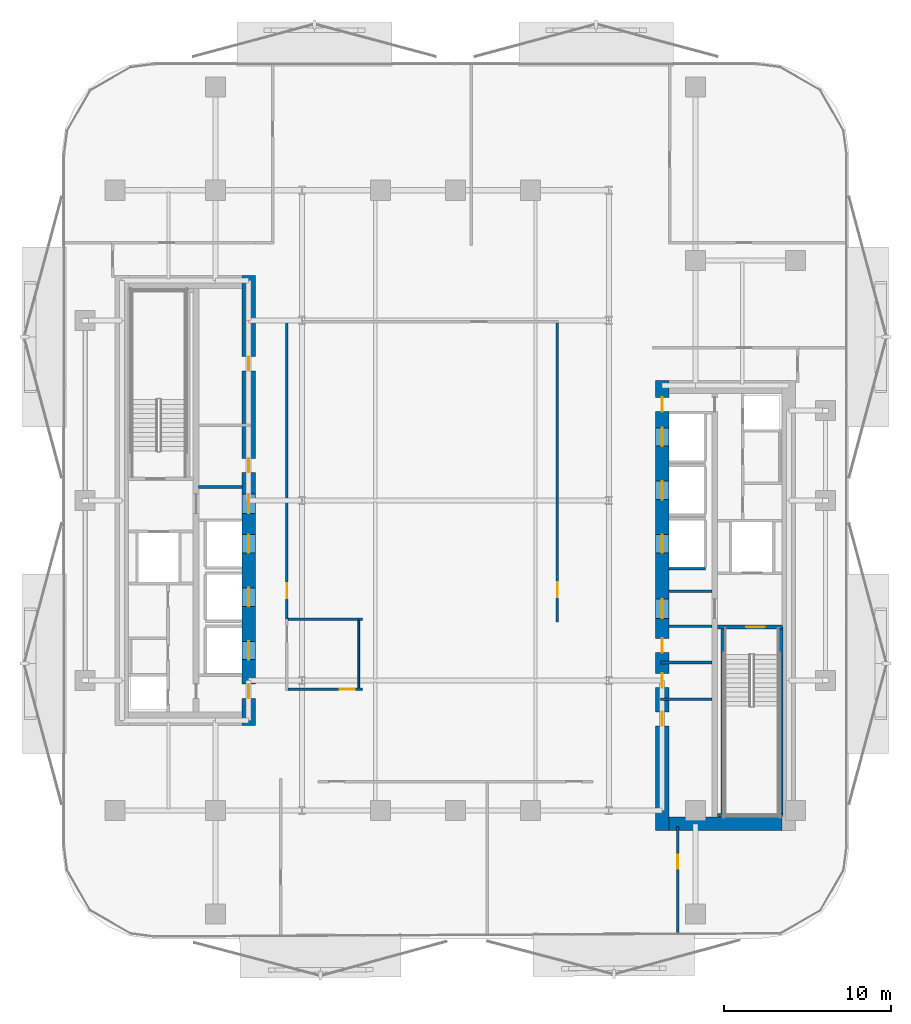
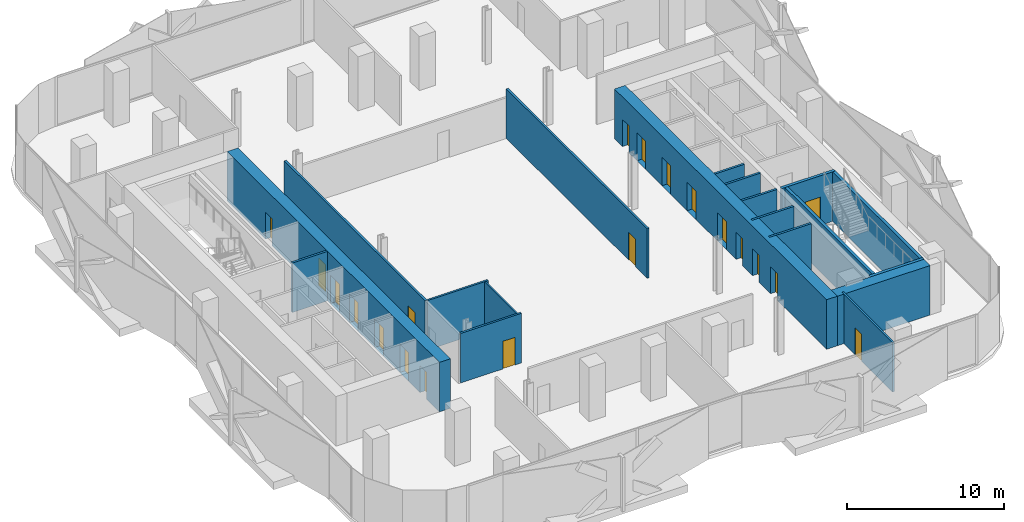
# One storey, part 4 of 15: 20 doors, 19 walls, 20 openings.
"""IFC4 building model written with IfcOpenShell, lengths in metres."""

from ifc_helpers import new_model, si_unit, direction, frame, frame_2d, origin, place, context, subcontext, project, spatial, rectangle, extrude, material, layer, layer_set, type_object, element, fill, save


model = new_model("IFC4")

# Units and contexts
model_context = context("Model", 3, precision=1e-05, world=origin(), true_north=direction((0.0, 1.0)))
body_context = subcontext(model_context, "Body", "Model", "MODEL_VIEW")
ifc_project = project(units=[si_unit("LENGTHUNIT", "METRE"), si_unit("AREAUNIT", "SQUARE_METRE"), si_unit("VOLUMEUNIT", "CUBIC_METRE"), si_unit("PLANEANGLEUNIT", "RADIAN"), si_unit("MASSUNIT", "GRAM", prefix="KILO")], contexts=[model_context])

# Site, building, storey
site_placement = place(None, origin())
site = spatial("IfcSite", under=ifc_project, at=site_placement, CompositionType="ELEMENT")
building_placement = place(site_placement, origin())
building = spatial("IfcBuilding", under=site, at=building_placement, Name="Khairoan Windgate Tower", CompositionType="ELEMENT")
storey_placement = place(building_placement, frame((0.0, 0.0, 147.800048828125)))
storey = spatial("IfcBuildingStorey", under=building, at=storey_placement, Name="L34", CompositionType="ELEMENT", Elevation=147.800048828125)

# Walls
ifc_material_1 = material(Name="Moisture-Resistant Gypsum Partition", Category="gypsum")
ifc_layer_1 = layer(ifc_material_1, 0.10009765625, Name="Moisture-Resistant Gypsum Partition")
ifc_layer_set_1 = layer_set([ifc_layer_1], Name="Moisture-Resistant Gypsum Partition")
wall_type_1 = type_object("IfcWallType", Name="Bathroom Wet-Area Partition Wall", PredefinedType="PARTITIONING", material=ifc_layer_set_1)
wall_1_placement = place(storey_placement, frame((-5.800048828125, -7.18994140625, 0.0), z_axis=(0.0, 0.0, 1.0), x_axis=(0.0, -1.0, 0.0)))
element("IfcWall", 1, at=wall_1_placement, inside=storey, type_object=wall_type_1, Name="L34 Wet Room Side Wall 038", PredefinedType="PARTITIONING", context=body_context, shape_type="SweptSolid", body=[
    extrude(rectangle(XDim=4.05517578125, YDim=0.10009765625, at=frame_2d((2.027587890625, 0.0))), origin(), (0.0, 0.0, 1.0), 3.849853515625),
])
ifc_material_2 = material(Name="Concrete C40/50", Category="concrete")
ifc_layer_2 = layer(ifc_material_2, 0.159912109375, Name="Concrete C40/50")
ifc_layer_set_2 = layer_set([ifc_layer_2], Name="Concrete C40/50")
wall_type_2 = type_object("IfcWallType", Name="Core and Hoistway Enclosure Wall", PredefinedType="STANDARD", material=ifc_layer_set_2)
wall_2_placement = place(storey_placement, frame((12.800048828125, -4.090087890625, 0.0), z_axis=(0.0, 0.0, 1.0), x_axis=(1.0, 0.0, 0.0)))
element("IfcWall", 2, at=wall_2_placement, inside=storey, type_object=wall_type_2, Name="L34 Lift PL9 Hoistway Divider S", PredefinedType="STANDARD", context=body_context, shape_type="SweptSolid", body=[
    extrude(rectangle(XDim=2.18994140625, YDim=0.159912109375, at=frame_2d((1.094970703125, 0.0))), origin(), (0.0, 0.0, 1.0), 3.849853515625),
])
for number, where, z_axis, x_axis, name in (
    (3, (-15.39990234375, 0.800048828125, 0.0), (0.0, 0.0, 1.0), (1.0, 0.0, 0.0), "L34 Core Shaft Wall SW-WV1-L34"),
    (4, (12.800048828125, -5.449951171875, 0.0), (0.0, 0.0, 1.0), (1.0, 0.0, 0.0), "L34 Core Shaft Wall SW-EV1-L34"),
    (5, (12.800048828125, -7.5400390625, 0.0), (0.0, 0.0, 1.0), (1.0, 0.0, 0.0), "L34 Core Shaft Wall SW-EV2-L34"),
):
    element("IfcWall", number, at=place(storey_placement, frame(where, z_axis=z_axis, x_axis=x_axis)), inside=storey, type_object=wall_type_2, Name=name, PredefinedType="STANDARD", context=body_context, shape_type="SweptSolid", body=[
        extrude(rectangle(XDim=2.599853515625, YDim=0.159912109375, at=frame_2d((1.2998046875, 0.0))), origin(), (0.0, 0.0, 1.0), 3.849853515625),
    ])

# Wall, opening, door
ifc_material_3 = material(Name="Acoustic Fire-Rated Gypsum Partition", Category="gypsum")
ifc_layer_3 = layer(ifc_material_3, 0.139892578125, Name="Acoustic Fire-Rated Gypsum Partition")
ifc_layer_set_3 = layer_set([ifc_layer_3], Name="Acoustic Fire-Rated Gypsum Partition")
wall_type_3 = type_object("IfcWallType", Name="Inter-Tenancy Compartment Wall", PredefinedType="PARTITIONING", material=ifc_layer_set_3)
wall_3_placement = place(storey_placement, frame((13.327880859375, -26.001220703125, 0.0), z_axis=(0.0, 0.0, 1.0), x_axis=(0.0, 1.0, 0.0)))
wall_3 = element("IfcWall", 6, at=wall_3_placement, inside=storey, type_object=wall_type_3, Name="L34 Interior Partition 034", PredefinedType="PARTITIONING", context=body_context, shape_type="SweptSolid", body=[
    extrude(rectangle(XDim=6.441162109375, YDim=0.139892578125, at=frame_2d((3.220703125, 0.0))), origin(), (0.0, 0.0, 1.0), 3.849853515625),
])
opening_1_placement = place(wall_3_placement, frame((3.91259765625, 0.0, 0.0)))
opening_1 = element("IfcOpeningElement", 7, at=opening_1_placement, cuts=wall_3, Name="Opening FD-SRV", PredefinedType="OPENING", context=body_context, shape_type="SweptSolid", body=[
    extrude(rectangle(XDim=0.85009765625, YDim=2.10009765625, at=frame_2d((0.425048828125, 1.050048828125))), frame((0.0, 0.079833984375, 0.0), z_axis=(0.0, -1.0, 0.0), x_axis=(1.0, 0.0, 0.0)), (0.0, 0.0, 1.0), 0.159912109375),
])
ifc_material_4 = material(Name="Steel S355", Category="steel")
door_type_1 = type_object("IfcDoorType", Name="Core Service and Riser Fire Door FD-SRV 850x2100", OperationType="NOTDEFINED", PredefinedType="DOOR", material=ifc_material_4)
door_1_placement = place(opening_1_placement, origin())
door_1 = element("IfcDoor", 8, at=door_1_placement, inside=storey, type_object=door_type_1, Name="L34 L34-48-L34-49 Door", OperationType="SINGLE_SWING_RIGHT", OverallHeight=2.10009765625, OverallWidth=0.85009765625, PredefinedType="DOOR", context=body_context, shape_type="SweptSolid", body=[
    extrude(rectangle(XDim=0.85009765625, YDim=2.10009765625, at=frame_2d((0.425048828125, 1.050048828125))), frame((0.0, 0.02490234375, 0.0), z_axis=(0.0, -1.0, 0.0), x_axis=(1.0, 0.0, 0.0)), (0.0, 0.0, 1.0), 0.050048828125),
])
fill(opening_1, door_1)

# Walls
wall_4_placement = place(storey_placement, frame((-10.02490234375, -7.1201171875, 0.0), z_axis=(0.0, 0.0, 1.0), x_axis=(1.0, 0.0, 0.0)))
element("IfcWall", 9, at=wall_4_placement, inside=storey, type_object=wall_type_3, Name="L34 Interior Partition 035", PredefinedType="PARTITIONING", context=body_context, shape_type="SweptSolid", body=[
    extrude(rectangle(XDim=4.46484375, YDim=0.139892578125, at=frame_2d((2.232421875, 0.0))), origin(), (0.0, 0.0, 1.0), 3.849853515625),
])
ifc_material_5 = material(Name="Concrete C40/50", Category="concrete")
ifc_layer_4 = layer(ifc_material_5, 0.159912109375, Name="Concrete C40/50")
ifc_layer_set_4 = layer_set([ifc_layer_4], Name="Concrete C40/50")
wall_type_4 = type_object("IfcWallType", Name="Plant and Refuge Compartment Wall", PredefinedType="PARTITIONING", material=ifc_layer_set_4)
for number, where, z_axis, x_axis, name in (
    (10, (12.31005859375, -11.919921875, 0.0), (0.0, 0.0, 1.0), (1.0, 0.0, 0.0), "L34 Interior Partition 012"),
    (11, (12.31005859375, -9.719970703125, 0.0), (0.0, 0.0, 1.0), (1.0, 0.0, 0.0), "L34 Interior Partition 013"),
):
    element("IfcWall", number, at=place(storey_placement, frame(where, z_axis=z_axis, x_axis=x_axis)), inside=storey, type_object=wall_type_4, Name=name, PredefinedType="PARTITIONING", context=body_context, shape_type="SweptSolid", body=[
        extrude(rectangle(XDim=3.06494140625, YDim=0.159912109375, at=frame_2d((1.532470703125, 0.0))), origin(), (0.0, 0.0, 1.0), 3.849853515625),
    ])

# Wall, opening, door
ifc_material_6 = material(Name="Acoustic Fire-Rated Gypsum Partition", Category="gypsum")
ifc_layer_5 = layer(ifc_material_6, 0.14990234375, Name="Acoustic Fire-Rated Gypsum Partition")
ifc_layer_set_5 = layer_set([ifc_layer_5], Name="Acoustic Fire-Rated Gypsum Partition")
wall_type_5 = type_object("IfcWallType", Name="Rated Corridor Partition Wall", PredefinedType="PARTITIONING", material=ifc_layer_set_5)
wall_5_placement = place(storey_placement, frame((-10.10009765625, -7.1201171875, 0.0), z_axis=(0.0, 0.0, 1.0), x_axis=(0.0, 1.0, 0.0)))
wall_5 = element("IfcWall", 12, at=wall_5_placement, inside=storey, type_object=wall_type_5, Name="L34 Interior Partition 016", PredefinedType="PARTITIONING", context=body_context, shape_type="SweptSolid", body=[
    extrude(rectangle(XDim=17.9150390625, YDim=0.14990234375, at=frame_2d((8.95751953125, 0.0))), origin(), (0.0, 0.0, 1.0), 3.849853515625),
])
opening_2_placement = place(wall_5_placement, frame((1.264892578125, 0.0, 0.0)))
opening_2 = element("IfcOpeningElement", 13, at=opening_2_placement, cuts=wall_5, Name="Opening FD-ENT", PredefinedType="OPENING", context=body_context, shape_type="SweptSolid", body=[
    extrude(rectangle(XDim=0.89990234375, YDim=2.14990234375, at=frame_2d((0.449951171875, 1.074951171875))), frame((0.0, 0.0849609375, 0.0), z_axis=(0.0, -1.0, 0.0), x_axis=(1.0, 0.0, 0.0)), (0.0, 0.0, 1.0), 0.169921875),
])
ifc_material_7 = material(Name="Timber Fire-Rated Core", Category="wood")
door_type_2 = type_object("IfcDoorType", Name="Unit and Office Fire Entrance Door FD-ENT 900x2150", OperationType="NOTDEFINED", PredefinedType="DOOR", material=ifc_material_7)
door_2_placement = place(opening_2_placement, origin())
door_2 = element("IfcDoor", 14, at=door_2_placement, inside=storey, type_object=door_type_2, Name="L34 L34-30-L34-51 Door", OperationType="SINGLE_SWING_RIGHT", OverallHeight=2.14990234375, OverallWidth=0.89990234375, PredefinedType="DOOR", context=body_context, shape_type="SweptSolid", body=[
    extrude(rectangle(XDim=0.89990234375, YDim=2.14990234375, at=frame_2d((0.449951171875, 1.074951171875))), frame((0.0, 0.02490234375, 0.0), z_axis=(0.0, -1.0, 0.0), x_axis=(1.0, 0.0, 0.0)), (0.0, 0.0, 1.0), 0.050048828125),
])
fill(opening_2, door_2)

wall_6_placement = place(storey_placement, frame((-10.02490234375, -11.320068359375, 0.0), z_axis=(0.0, 0.0, 1.0), x_axis=(1.0, 0.0, 0.0)))
wall_6 = element("IfcWall", 15, at=wall_6_placement, inside=storey, type_object=wall_type_5, Name="L34 Interior Partition 018", PredefinedType="PARTITIONING", context=body_context, shape_type="SweptSolid", body=[
    extrude(rectangle(XDim=4.46484375, YDim=0.14990234375, at=frame_2d((2.232421875, 0.0))), origin(), (0.0, 0.0, 1.0), 3.849853515625),
])
opening_3_placement = place(wall_6_placement, frame((3.10498046875, 0.0, 0.0)))
opening_3 = element("IfcOpeningElement", 16, at=opening_3_placement, cuts=wall_6, Name="Opening FD-ENT", PredefinedType="OPENING", context=body_context, shape_type="SweptSolid", body=[
    extrude(rectangle(XDim=0.89990234375, YDim=2.14990234375, at=frame_2d((0.449951171875, 1.074951171875))), frame((0.0, 0.0849609375, 0.0), z_axis=(0.0, -1.0, 0.0), x_axis=(1.0, 0.0, 0.0)), (0.0, 0.0, 1.0), 0.169921875),
])
door_3_placement = place(opening_3_placement, origin())
door_3 = element("IfcDoor", 17, at=door_3_placement, inside=storey, type_object=door_type_2, Name="L34 L34-33-L34-50 Door", OperationType="SINGLE_SWING_RIGHT", OverallHeight=2.14990234375, OverallWidth=0.89990234375, PredefinedType="DOOR", context=body_context, shape_type="SweptSolid", body=[
    extrude(rectangle(XDim=0.89990234375, YDim=2.14990234375, at=frame_2d((0.449951171875, 1.074951171875))), frame((0.0, 0.02490234375, 0.0), z_axis=(0.0, -1.0, 0.0), x_axis=(1.0, 0.0, 0.0)), (0.0, 0.0, 1.0), 0.050048828125),
])
fill(opening_3, door_3)

wall_7_placement = place(storey_placement, frame((6.1201171875, -7.280029296875, 0.0), z_axis=(0.0, 0.0, 1.0), x_axis=(0.0, 1.0, 0.0)))
wall_7 = element("IfcWall", 18, at=wall_7_placement, inside=storey, type_object=wall_type_5, Name="L34 Interior Partition 019", PredefinedType="PARTITIONING", context=body_context, shape_type="SweptSolid", body=[
    extrude(rectangle(XDim=17.925048828125, YDim=0.14990234375, at=frame_2d((8.96240234375, 0.0))), origin(), (0.0, 0.0, 1.0), 3.849853515625),
])
opening_4_placement = place(wall_7_placement, frame((1.466552734375, 0.0, 0.0)))
opening_4 = element("IfcOpeningElement", 19, at=opening_4_placement, cuts=wall_7, Name="Opening FD-ENT", PredefinedType="OPENING", context=body_context, shape_type="SweptSolid", body=[
    extrude(rectangle(XDim=0.89990234375, YDim=2.14990234375, at=frame_2d((0.449951171875, 1.074951171875))), frame((0.0, 0.0849609375, 0.0), z_axis=(0.0, -1.0, 0.0), x_axis=(1.0, 0.0, 0.0)), (0.0, 0.0, 1.0), 0.169921875),
])
door_4_placement = place(opening_4_placement, origin())
door_4 = element("IfcDoor", 20, at=door_4_placement, inside=storey, type_object=door_type_2, Name="L34 L34-34-L34-51 Door", OperationType="SINGLE_SWING_LEFT", OverallHeight=2.14990234375, OverallWidth=0.89990234375, PredefinedType="DOOR", context=body_context, shape_type="SweptSolid", body=[
    extrude(rectangle(XDim=0.89990234375, YDim=2.14990234375, at=frame_2d((0.449951171875, 1.074951171875))), frame((0.0, 0.02490234375, 0.0), z_axis=(0.0, -1.0, 0.0), x_axis=(1.0, 0.0, 0.0)), (0.0, 0.0, 1.0), 0.050048828125),
])
fill(opening_4, door_4)

# Wall, openings, doors
ifc_material_8 = material(Name="Concrete C70/85", Category="concrete")
ifc_layer_6 = layer(ifc_material_8, 0.800048828125, Name="Concrete C70/85")
ifc_layer_set_6 = layer_set([ifc_layer_6], Name="Concrete C70/85")
wall_type_6 = type_object("IfcWallType", Name="Shear Wall CW-E1 800mm", PredefinedType="SHEAR", material=ifc_layer_set_6)
wall_8_placement = place(storey_placement, frame((12.39990234375, -19.800048828125, 0.0), z_axis=(0.0, 0.0, 1.0), x_axis=(0.0, 1.0, 0.0)))
wall_8 = element("IfcWall", 21, at=wall_8_placement, inside=storey, type_object=wall_type_6, Name="E Core West Shear Wall L34", PredefinedType="SHEAR", context=body_context, shape_type="SweptSolid", body=[
    extrude(rectangle(XDim=27.0, YDim=0.800048828125, at=frame_2d((13.5, 0.0))), origin(), (0.0, 0.0, 1.0), 3.849853515625),
])
opening_5_placement = place(wall_8_placement, frame((23.050048828125, 0.0, 0.0)))
opening_5 = element("IfcOpeningElement", 22, at=opening_5_placement, cuts=wall_8, Name="Opening LD-PL", PredefinedType="OPENING", context=body_context, shape_type="SweptSolid", body=[
    extrude(rectangle(XDim=1.10009765625, YDim=2.199951171875, at=frame_2d((0.550048828125, 1.10009765625))), frame((0.0, 0.409912109375, 0.0), z_axis=(0.0, -1.0, 0.0), x_axis=(1.0, 0.0, 0.0)), (0.0, 0.0, 1.0), 0.820068359375),
])
opening_6_placement = place(wall_8_placement, frame((19.85009765625, 0.0, 0.0)))
opening_6 = element("IfcOpeningElement", 23, at=opening_6_placement, cuts=wall_8, Name="Opening LD-PL", PredefinedType="OPENING", context=body_context, shape_type="SweptSolid", body=[
    extrude(rectangle(XDim=1.10009765625, YDim=2.199951171875, at=frame_2d((0.550048828125, 1.10009765625))), frame((0.0, 0.409912109375, 0.0), z_axis=(0.0, -1.0, 0.0), x_axis=(1.0, 0.0, 0.0)), (0.0, 0.0, 1.0), 0.820068359375),
])
opening_7_placement = place(wall_8_placement, frame((16.64990234375, 0.0, 0.0)))
opening_7 = element("IfcOpeningElement", 24, at=opening_7_placement, cuts=wall_8, Name="Opening LD-PL", PredefinedType="OPENING", context=body_context, shape_type="SweptSolid", body=[
    extrude(rectangle(XDim=1.10009765625, YDim=2.199951171875, at=frame_2d((0.550048828125, 1.10009765625))), frame((0.0, 0.409912109375, 0.0), z_axis=(0.0, -1.0, 0.0), x_axis=(1.0, 0.0, 0.0)), (0.0, 0.0, 1.0), 0.820068359375),
])
opening_8_placement = place(wall_8_placement, frame((6.27490234375, 0.0, 0.0)))
opening_8 = element("IfcOpeningElement", 25, at=opening_8_placement, cuts=wall_8, Name="Opening FD-SRV", PredefinedType="OPENING", context=body_context, shape_type="SweptSolid", body=[
    extrude(rectangle(XDim=0.85009765625, YDim=2.10009765625, at=frame_2d((0.425048828125, 1.050048828125))), frame((0.0, 0.409912109375, 0.0), z_axis=(0.0, -1.0, 0.0), x_axis=(1.0, 0.0, 0.0)), (0.0, 0.0, 1.0), 0.820068359375),
])
opening_9_placement = place(wall_8_placement, frame((8.574951171875, 0.0, 0.0)))
opening_9 = element("IfcOpeningElement", 26, at=opening_9_placement, cuts=wall_8, Name="Opening FD-SRV", PredefinedType="OPENING", context=body_context, shape_type="SweptSolid", body=[
    extrude(rectangle(XDim=0.85009765625, YDim=2.10009765625, at=frame_2d((0.425048828125, 1.050048828125))), frame((0.0, 0.409912109375, 0.0), z_axis=(0.0, -1.0, 0.0), x_axis=(1.0, 0.0, 0.0)), (0.0, 0.0, 1.0), 0.820068359375),
])
opening_10_placement = place(wall_8_placement, frame((10.675048828125, 0.0, 0.0)))
opening_10 = element("IfcOpeningElement", 27, at=opening_10_placement, cuts=wall_8, Name="Opening FD-SRV", PredefinedType="OPENING", context=body_context, shape_type="SweptSolid", body=[
    extrude(rectangle(XDim=0.85009765625, YDim=2.10009765625, at=frame_2d((0.425048828125, 1.050048828125))), frame((0.0, 0.409912109375, 0.0), z_axis=(0.0, -1.0, 0.0), x_axis=(1.0, 0.0, 0.0)), (0.0, 0.0, 1.0), 0.820068359375),
])
opening_11_placement = place(wall_8_placement, frame((12.72509765625, 0.0, 0.0)))
opening_11 = element("IfcOpeningElement", 28, at=opening_11_placement, cuts=wall_8, Name="Opening FD-FFL", PredefinedType="OPENING", context=body_context, shape_type="SweptSolid", body=[
    extrude(rectangle(XDim=1.14990234375, YDim=2.199951171875, at=frame_2d((0.574951171875, 1.10009765625))), frame((0.0, 0.409912109375, 0.0), z_axis=(0.0, -1.0, 0.0), x_axis=(1.0, 0.0, 0.0)), (0.0, 0.0, 1.0), 0.820068359375),
])
opening_12_placement = place(wall_8_placement, frame((25.125, 0.0, 0.0)))
opening_12 = element("IfcOpeningElement", 29, at=opening_12_placement, cuts=wall_8, Name="Opening FD-SRV", PredefinedType="OPENING", context=body_context, shape_type="SweptSolid", body=[
    extrude(rectangle(XDim=0.85009765625, YDim=2.10009765625, at=frame_2d((0.425048828125, 1.050048828125))), frame((0.0, 0.409912109375, 0.0), z_axis=(0.0, -1.0, 0.0), x_axis=(1.0, 0.0, 0.0)), (0.0, 0.0, 1.0), 0.820068359375),
])
door_5_placement = place(opening_8_placement, origin())
door_5 = element("IfcDoor", 30, at=door_5_placement, inside=storey, type_object=door_type_1, Name="L34 East Core Service Room Door 1", OperationType="SINGLE_SWING_LEFT", OverallHeight=2.10009765625, OverallWidth=0.85009765625, PredefinedType="DOOR", context=body_context, shape_type="SweptSolid", body=[
    extrude(rectangle(XDim=0.85009765625, YDim=2.10009765625, at=frame_2d((0.425048828125, 1.050048828125))), frame((0.0, 0.02490234375, 0.0), z_axis=(0.0, -1.0, 0.0), x_axis=(1.0, 0.0, 0.0)), (0.0, 0.0, 1.0), 0.050048828125),
])
fill(opening_8, door_5)
door_6_placement = place(opening_9_placement, origin())
door_6 = element("IfcDoor", 31, at=door_6_placement, inside=storey, type_object=door_type_1, Name="L34 East Core Service Room Door 2", OperationType="SINGLE_SWING_RIGHT", OverallHeight=2.10009765625, OverallWidth=0.85009765625, PredefinedType="DOOR", context=body_context, shape_type="SweptSolid", body=[
    extrude(rectangle(XDim=0.85009765625, YDim=2.10009765625, at=frame_2d((0.425048828125, 1.050048828125))), frame((0.0, 0.02490234375, 0.0), z_axis=(0.0, -1.0, 0.0), x_axis=(1.0, 0.0, 0.0)), (0.0, 0.0, 1.0), 0.050048828125),
])
fill(opening_9, door_6)
door_7_placement = place(opening_10_placement, origin())
door_7 = element("IfcDoor", 32, at=door_7_placement, inside=storey, type_object=door_type_1, Name="L34 East Core Service Room Door 3", OperationType="SINGLE_SWING_LEFT", OverallHeight=2.10009765625, OverallWidth=0.85009765625, PredefinedType="DOOR", context=body_context, shape_type="SweptSolid", body=[
    extrude(rectangle(XDim=0.85009765625, YDim=2.10009765625, at=frame_2d((0.425048828125, 1.050048828125))), frame((0.0, 0.02490234375, 0.0), z_axis=(0.0, -1.0, 0.0), x_axis=(1.0, 0.0, 0.0)), (0.0, 0.0, 1.0), 0.050048828125),
])
fill(opening_10, door_7)
door_8_placement = place(opening_12_placement, origin())
door_8 = element("IfcDoor", 33, at=door_8_placement, inside=storey, type_object=door_type_1, Name="L34 East Core Service Vestibule Outer Door", OperationType="SINGLE_SWING_RIGHT", OverallHeight=2.10009765625, OverallWidth=0.85009765625, PredefinedType="DOOR", context=body_context, shape_type="SweptSolid", body=[
    extrude(rectangle(XDim=0.85009765625, YDim=2.10009765625, at=frame_2d((0.425048828125, 1.050048828125))), frame((0.0, 0.02490234375, 0.0), z_axis=(0.0, -1.0, 0.0), x_axis=(1.0, 0.0, 0.0)), (0.0, 0.0, 1.0), 0.050048828125),
])
fill(opening_12, door_8)
ifc_material_9 = material(Name="Steel S355", Category="steel")
door_type_3 = type_object("IfcDoorType", Name="Firefighting Lobby Fire Door FD-FFL 1150x2200", OperationType="NOTDEFINED", PredefinedType="DOOR", material=ifc_material_9)
door_9_placement = place(opening_11_placement, origin())
door_9 = element("IfcDoor", 34, at=door_9_placement, inside=storey, type_object=door_type_3, Name="L34 East Core Vestibule Entry Door", OperationType="SINGLE_SWING_RIGHT", OverallHeight=2.199951171875, OverallWidth=1.14990234375, PredefinedType="DOOR", context=body_context, shape_type="SweptSolid", body=[
    extrude(rectangle(XDim=1.14990234375, YDim=2.199951171875, at=frame_2d((0.574951171875, 1.10009765625))), frame((0.0, 0.02490234375, 0.0), z_axis=(0.0, -1.0, 0.0), x_axis=(1.0, 0.0, 0.0)), (0.0, 0.0, 1.0), 0.050048828125),
])
fill(opening_11, door_9)
ifc_material_10 = material(Name="Anodised Bronze Aluminium 6063-T6", Category="aluminium")
door_type_4 = type_object("IfcDoorType", Name="Passenger Lift Sliding Landing Door LD-PL 1100x2200", OperationType="DOUBLE_DOOR_SLIDING", PredefinedType="DOOR", material=ifc_material_10)
door_10_placement = place(opening_5_placement, origin())
door_10 = element("IfcDoor", 35, at=door_10_placement, inside=storey, type_object=door_type_4, Name="L34 Lift PL7 Sliding Landing Door", OperationType="DOUBLE_DOOR_SLIDING", OverallHeight=2.199951171875, OverallWidth=1.10009765625, PredefinedType="DOOR", context=body_context, shape_type="SweptSolid", body=[
    extrude(rectangle(XDim=1.10009765625, YDim=2.199951171875, at=frame_2d((0.550048828125, 1.10009765625))), frame((0.0, 0.02490234375, 0.0), z_axis=(0.0, -1.0, 0.0), x_axis=(1.0, 0.0, 0.0)), (0.0, 0.0, 1.0), 0.050048828125),
])
fill(opening_5, door_10)
door_11_placement = place(opening_6_placement, origin())
door_11 = element("IfcDoor", 36, at=door_11_placement, inside=storey, type_object=door_type_4, Name="L34 Lift PL8 Sliding Landing Door", OperationType="DOUBLE_DOOR_SLIDING", OverallHeight=2.199951171875, OverallWidth=1.10009765625, PredefinedType="DOOR", context=body_context, shape_type="SweptSolid", body=[
    extrude(rectangle(XDim=1.10009765625, YDim=2.199951171875, at=frame_2d((0.550048828125, 1.10009765625))), frame((0.0, 0.02490234375, 0.0), z_axis=(0.0, -1.0, 0.0), x_axis=(1.0, 0.0, 0.0)), (0.0, 0.0, 1.0), 0.050048828125),
])
fill(opening_6, door_11)
door_12_placement = place(opening_7_placement, origin())
door_12 = element("IfcDoor", 37, at=door_12_placement, inside=storey, type_object=door_type_4, Name="L34 Lift PL9 Sliding Landing Door", OperationType="DOUBLE_DOOR_SLIDING", OverallHeight=2.199951171875, OverallWidth=1.10009765625, PredefinedType="DOOR", context=body_context, shape_type="SweptSolid", body=[
    extrude(rectangle(XDim=1.10009765625, YDim=2.199951171875, at=frame_2d((0.550048828125, 1.10009765625))), frame((0.0, 0.02490234375, 0.0), z_axis=(0.0, -1.0, 0.0), x_axis=(1.0, 0.0, 0.0)), (0.0, 0.0, 1.0), 0.050048828125),
])
fill(opening_7, door_12)

# Wall
wall_9_placement = place(storey_placement, frame((12.800048828125, -19.39990234375, 0.0), z_axis=(0.0, 0.0, 1.0), x_axis=(1.0, 0.0, 0.0)))
element("IfcWall", 38, at=wall_9_placement, inside=storey, type_object=wall_type_6, Name="E Core South Shear Wall L34", PredefinedType="SHEAR", context=body_context, shape_type="SweptSolid", body=[
    extrude(rectangle(XDim=6.800048828125, YDim=0.800048828125, at=frame_2d((3.39990234375, 0.0))), origin(), (0.0, 0.0, 1.0), 3.849853515625),
])

# Wall, openings, doors
ifc_material_11 = material(Name="Concrete C70/85", Category="concrete")
ifc_layer_7 = layer(ifc_material_11, 0.800048828125, Name="Concrete C70/85")
ifc_layer_set_7 = layer_set([ifc_layer_7], Name="Concrete C70/85")
wall_type_7 = type_object("IfcWallType", Name="Shear Wall CW-W1 800mm", PredefinedType="SHEAR", material=ifc_layer_set_7)
wall_10_placement = place(storey_placement, frame((-12.39990234375, -13.5, 0.0), z_axis=(0.0, 0.0, 1.0), x_axis=(0.0, 1.0, 0.0)))
wall_10 = element("IfcWall", 39, at=wall_10_placement, inside=storey, type_object=wall_type_7, Name="W Core East Shear Wall L34", PredefinedType="SHEAR", context=body_context, shape_type="SweptSolid", body=[
    extrude(rectangle(XDim=27.0, YDim=0.800048828125, at=frame_2d((13.5, 0.0))), origin(), (0.0, 0.0, 1.0), 3.849853515625),
])
opening_13_placement = place(wall_10_placement, frame((10.35009765625, 0.0, 0.0)))
opening_13 = element("IfcOpeningElement", 40, at=opening_13_placement, cuts=wall_10, Name="Opening LD-PL", PredefinedType="OPENING", context=body_context, shape_type="SweptSolid", body=[
    extrude(rectangle(XDim=1.10009765625, YDim=2.199951171875, at=frame_2d((0.550048828125, 1.10009765625))), frame((0.0, 0.409912109375, 0.0), z_axis=(0.0, -1.0, 0.0), x_axis=(1.0, 0.0, 0.0)), (0.0, 0.0, 1.0), 0.820068359375),
])
opening_14_placement = place(wall_10_placement, frame((7.14990234375, 0.0, 0.0)))
opening_14 = element("IfcOpeningElement", 41, at=opening_14_placement, cuts=wall_10, Name="Opening LD-PL", PredefinedType="OPENING", context=body_context, shape_type="SweptSolid", body=[
    extrude(rectangle(XDim=1.10009765625, YDim=2.199951171875, at=frame_2d((0.550048828125, 1.10009765625))), frame((0.0, 0.409912109375, 0.0), z_axis=(0.0, -1.0, 0.0), x_axis=(1.0, 0.0, 0.0)), (0.0, 0.0, 1.0), 0.820068359375),
])
opening_15_placement = place(wall_10_placement, frame((3.949951171875, 0.0, 0.0)))
opening_15 = element("IfcOpeningElement", 42, at=opening_15_placement, cuts=wall_10, Name="Opening LD-PL", PredefinedType="OPENING", context=body_context, shape_type="SweptSolid", body=[
    extrude(rectangle(XDim=1.10009765625, YDim=2.199951171875, at=frame_2d((0.550048828125, 1.10009765625))), frame((0.0, 0.409912109375, 0.0), z_axis=(0.0, -1.0, 0.0), x_axis=(1.0, 0.0, 0.0)), (0.0, 0.0, 1.0), 0.820068359375),
])
opening_16_placement = place(wall_10_placement, frame((15.175048828125, 0.0, 0.0)))
opening_16 = element("IfcOpeningElement", 43, at=opening_16_placement, cuts=wall_10, Name="Opening FD-SRV", PredefinedType="OPENING", context=body_context, shape_type="SweptSolid", body=[
    extrude(rectangle(XDim=0.85009765625, YDim=2.10009765625, at=frame_2d((0.425048828125, 1.050048828125))), frame((0.0, 0.409912109375, 0.0), z_axis=(0.0, -1.0, 0.0), x_axis=(1.0, 0.0, 0.0)), (0.0, 0.0, 1.0), 0.820068359375),
])
opening_17_placement = place(wall_10_placement, frame((21.27490234375, 0.0, 0.0)))
opening_17 = element("IfcOpeningElement", 44, at=opening_17_placement, cuts=wall_10, Name="Opening FD-SRV", PredefinedType="OPENING", context=body_context, shape_type="SweptSolid", body=[
    extrude(rectangle(XDim=0.85009765625, YDim=2.10009765625, at=frame_2d((0.425048828125, 1.050048828125))), frame((0.0, 0.409912109375, 0.0), z_axis=(0.0, -1.0, 0.0), x_axis=(1.0, 0.0, 0.0)), (0.0, 0.0, 1.0), 0.820068359375),
])
opening_18_placement = place(wall_10_placement, frame((12.72509765625, 0.0, 0.0)))
opening_18 = element("IfcOpeningElement", 45, at=opening_18_placement, cuts=wall_10, Name="Opening FD-FFL", PredefinedType="OPENING", context=body_context, shape_type="SweptSolid", body=[
    extrude(rectangle(XDim=1.14990234375, YDim=2.199951171875, at=frame_2d((0.574951171875, 1.10009765625))), frame((0.0, 0.409912109375, 0.0), z_axis=(0.0, -1.0, 0.0), x_axis=(1.0, 0.0, 0.0)), (0.0, 0.0, 1.0), 0.820068359375),
])
opening_19_placement = place(wall_10_placement, frame((1.625, 0.0, 0.0)))
opening_19 = element("IfcOpeningElement", 46, at=opening_19_placement, cuts=wall_10, Name="Opening FD-SRV", PredefinedType="OPENING", context=body_context, shape_type="SweptSolid", body=[
    extrude(rectangle(XDim=0.85009765625, YDim=2.10009765625, at=frame_2d((0.425048828125, 1.050048828125))), frame((0.0, 0.409912109375, 0.0), z_axis=(0.0, -1.0, 0.0), x_axis=(1.0, 0.0, 0.0)), (0.0, 0.0, 1.0), 0.820068359375),
])
door_13_placement = place(opening_16_placement, origin())
door_13 = element("IfcDoor", 47, at=door_13_placement, inside=storey, type_object=door_type_1, Name="L34 Upper Core Room Door B1-1", OperationType="SINGLE_SWING_LEFT", OverallHeight=2.10009765625, OverallWidth=0.85009765625, PredefinedType="DOOR", context=body_context, shape_type="SweptSolid", body=[
    extrude(rectangle(XDim=0.85009765625, YDim=2.10009765625, at=frame_2d((0.425048828125, 1.050048828125))), frame((0.0, 0.02490234375, 0.0), z_axis=(0.0, -1.0, 0.0), x_axis=(1.0, 0.0, 0.0)), (0.0, 0.0, 1.0), 0.050048828125),
])
fill(opening_16, door_13)
door_14_placement = place(opening_17_placement, origin())
door_14 = element("IfcDoor", 48, at=door_14_placement, inside=storey, type_object=door_type_1, Name="L34 Upper Core Room Door B1-2", OperationType="SINGLE_SWING_RIGHT", OverallHeight=2.10009765625, OverallWidth=0.85009765625, PredefinedType="DOOR", context=body_context, shape_type="SweptSolid", body=[
    extrude(rectangle(XDim=0.85009765625, YDim=2.10009765625, at=frame_2d((0.425048828125, 1.050048828125))), frame((0.0, 0.02490234375, 0.0), z_axis=(0.0, -1.0, 0.0), x_axis=(1.0, 0.0, 0.0)), (0.0, 0.0, 1.0), 0.050048828125),
])
fill(opening_17, door_14)
door_15_placement = place(opening_19_placement, origin())
door_15 = element("IfcDoor", 49, at=door_15_placement, inside=storey, type_object=door_type_1, Name="L34 West Core Service Vestibule Outer Door", OperationType="SINGLE_SWING_RIGHT", OverallHeight=2.10009765625, OverallWidth=0.85009765625, PredefinedType="DOOR", context=body_context, shape_type="SweptSolid", body=[
    extrude(rectangle(XDim=0.85009765625, YDim=2.10009765625, at=frame_2d((0.425048828125, 1.050048828125))), frame((0.0, 0.02490234375, 0.0), z_axis=(0.0, -1.0, 0.0), x_axis=(1.0, 0.0, 0.0)), (0.0, 0.0, 1.0), 0.050048828125),
])
fill(opening_19, door_15)
door_16_placement = place(opening_18_placement, origin())
door_16 = element("IfcDoor", 50, at=door_16_placement, inside=storey, type_object=door_type_3, Name="L34 West Core Vestibule Entry Door", OperationType="SINGLE_SWING_RIGHT", OverallHeight=2.199951171875, OverallWidth=1.14990234375, PredefinedType="DOOR", context=body_context, shape_type="SweptSolid", body=[
    extrude(rectangle(XDim=1.14990234375, YDim=2.199951171875, at=frame_2d((0.574951171875, 1.10009765625))), frame((0.0, 0.02490234375, 0.0), z_axis=(0.0, -1.0, 0.0), x_axis=(1.0, 0.0, 0.0)), (0.0, 0.0, 1.0), 0.050048828125),
])
fill(opening_18, door_16)
door_17_placement = place(opening_13_placement, origin())
door_17 = element("IfcDoor", 51, at=door_17_placement, inside=storey, type_object=door_type_4, Name="L34 Lift PL4 Sliding Landing Door", OperationType="DOUBLE_DOOR_SLIDING", OverallHeight=2.199951171875, OverallWidth=1.10009765625, PredefinedType="DOOR", context=body_context, shape_type="SweptSolid", body=[
    extrude(rectangle(XDim=1.10009765625, YDim=2.199951171875, at=frame_2d((0.550048828125, 1.10009765625))), frame((0.0, 0.02490234375, 0.0), z_axis=(0.0, -1.0, 0.0), x_axis=(1.0, 0.0, 0.0)), (0.0, 0.0, 1.0), 0.050048828125),
])
fill(opening_13, door_17)
door_18_placement = place(opening_14_placement, origin())
door_18 = element("IfcDoor", 52, at=door_18_placement, inside=storey, type_object=door_type_4, Name="L34 Lift PL5 Sliding Landing Door", OperationType="DOUBLE_DOOR_SLIDING", OverallHeight=2.199951171875, OverallWidth=1.10009765625, PredefinedType="DOOR", context=body_context, shape_type="SweptSolid", body=[
    extrude(rectangle(XDim=1.10009765625, YDim=2.199951171875, at=frame_2d((0.550048828125, 1.10009765625))), frame((0.0, 0.02490234375, 0.0), z_axis=(0.0, -1.0, 0.0), x_axis=(1.0, 0.0, 0.0)), (0.0, 0.0, 1.0), 0.050048828125),
])
fill(opening_14, door_18)
door_19_placement = place(opening_15_placement, origin())
door_19 = element("IfcDoor", 53, at=door_19_placement, inside=storey, type_object=door_type_4, Name="L34 Lift PL6 Sliding Landing Door", OperationType="DOUBLE_DOOR_SLIDING", OverallHeight=2.199951171875, OverallWidth=1.10009765625, PredefinedType="DOOR", context=body_context, shape_type="SweptSolid", body=[
    extrude(rectangle(XDim=1.10009765625, YDim=2.199951171875, at=frame_2d((0.550048828125, 1.10009765625))), frame((0.0, 0.02490234375, 0.0), z_axis=(0.0, -1.0, 0.0), x_axis=(1.0, 0.0, 0.0)), (0.0, 0.0, 1.0), 0.050048828125),
])
fill(opening_15, door_19)

# Walls
ifc_material_12 = material(Name="Concrete C50/60", Category="concrete")
ifc_layer_8 = layer(ifc_material_12, 0.219970703125, Name="Concrete C50/60")
ifc_layer_set_8 = layer_set([ifc_layer_8], Name="Concrete C50/60")
wall_type_8 = type_object("IfcWallType", Name="Shear Wall SW-ST 220mm", PredefinedType="SHEAR", material=ifc_layer_set_8)
for number, where, z_axis, x_axis, name in (
    (54, (16.0400390625, -18.889892578125, 0.0), (0.0, 0.0, 1.0), (0.0, 1.0, 0.0), "L34 Stair ST1 West Bearing Wall"),
    (55, (19.530029296875, -18.889892578125, 0.0), (0.0, 0.0, 1.0), (0.0, 1.0, 0.0), "L34 Stair ST1 East Bearing Wall"),
):
    element("IfcWall", number, at=place(storey_placement, frame(where, z_axis=z_axis, x_axis=x_axis)), inside=storey, type_object=wall_type_8, Name=name, PredefinedType="SHEAR", context=body_context, shape_type="SweptSolid", body=[
        extrude(rectangle(XDim=11.2998046875, YDim=0.219970703125, at=frame_2d((5.64990234375, 0.0))), origin(), (0.0, 0.0, 1.0), 3.849853515625),
    ])
wall_11_placement = place(storey_placement, frame((15.705078125, -18.889892578125, 0.0), z_axis=(0.0, 0.0, 1.0), x_axis=(1.0, 0.0, 0.0)))
element("IfcWall", 56, at=wall_11_placement, inside=storey, type_object=wall_type_8, Name="L34 Stair ST1 South Bearing Wall", PredefinedType="SHEAR", context=body_context, shape_type="SweptSolid", body=[
    extrude(rectangle(XDim=3.9150390625, YDim=0.219970703125, at=frame_2d((1.95751953125, 0.0))), origin(), (0.0, 0.0, 1.0), 3.849853515625),
])

# Wall, opening, door
wall_12_placement = place(storey_placement, frame((19.6201171875, -7.590087890625, 0.0), z_axis=(0.0, 0.0, 1.0), x_axis=(-1.0, 0.0, 0.0)))
wall_12 = element("IfcWall", 57, at=wall_12_placement, inside=storey, type_object=wall_type_8, Name="L34 Stair ST1 North Bearing Wall", PredefinedType="SHEAR", context=body_context, shape_type="SweptSolid", body=[
    extrude(rectangle(XDim=3.9150390625, YDim=0.219970703125, at=frame_2d((1.95751953125, 0.0))), origin(), (0.0, 0.0, 1.0), 3.849853515625),
])
opening_20_placement = place(wall_12_placement, frame((1.080078125, 0.0, 0.0)))
opening_20 = element("IfcOpeningElement", 58, at=opening_20_placement, cuts=wall_12, Name="Opening FD-ST", PredefinedType="OPENING", context=body_context, shape_type="SweptSolid", body=[
    extrude(rectangle(XDim=1.10009765625, YDim=2.199951171875, at=frame_2d((0.550048828125, 1.10009765625))), frame((0.0, 0.119873046875, 0.0), z_axis=(0.0, -1.0, 0.0), x_axis=(1.0, 0.0, 0.0)), (0.0, 0.0, 1.0), 0.239990234375),
])
ifc_material_13 = material(Name="Steel S355", Category="steel")
door_type_5 = type_object("IfcDoorType", Name="Smokeproof Stair Fire Door FD-ST 1100x2200", OperationType="NOTDEFINED", PredefinedType="DOOR", material=ifc_material_13)
door_20_placement = place(opening_20_placement, origin())
door_20 = element("IfcDoor", 59, at=door_20_placement, inside=storey, type_object=door_type_5, Name="L34 Stair ST1 Fire Door", OperationType="SINGLE_SWING_LEFT", OverallHeight=2.199951171875, OverallWidth=1.10009765625, PredefinedType="DOOR", context=body_context, shape_type="SweptSolid", body=[
    extrude(rectangle(XDim=1.10009765625, YDim=2.199951171875, at=frame_2d((0.550048828125, 1.10009765625))), frame((0.0, 0.02490234375, 0.0), z_axis=(0.0, -1.0, 0.0), x_axis=(1.0, 0.0, 0.0)), (0.0, 0.0, 1.0), 0.050048828125),
])
fill(opening_20, door_20)

save(model, "model.ifc")
